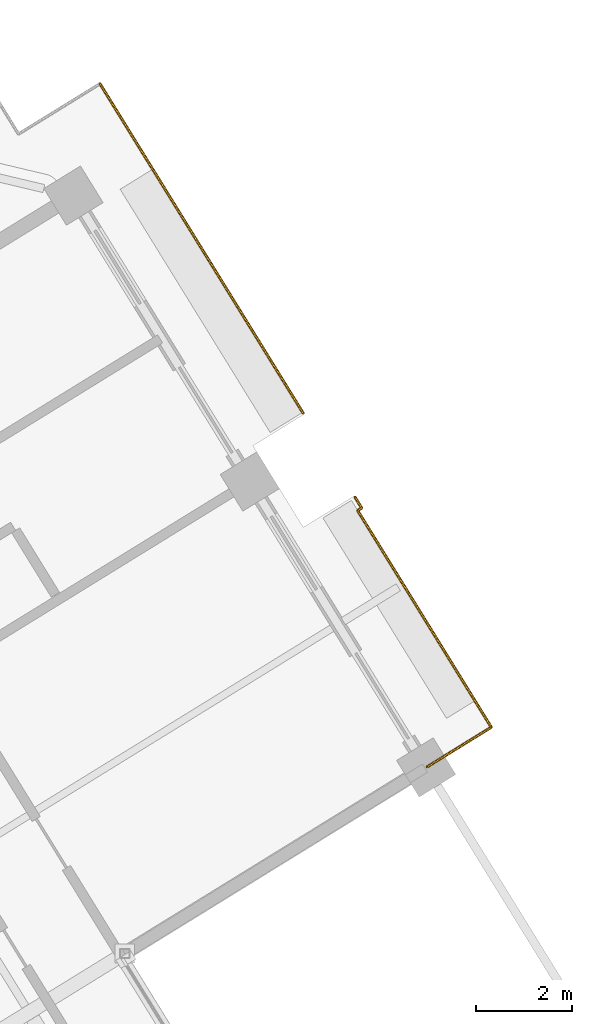
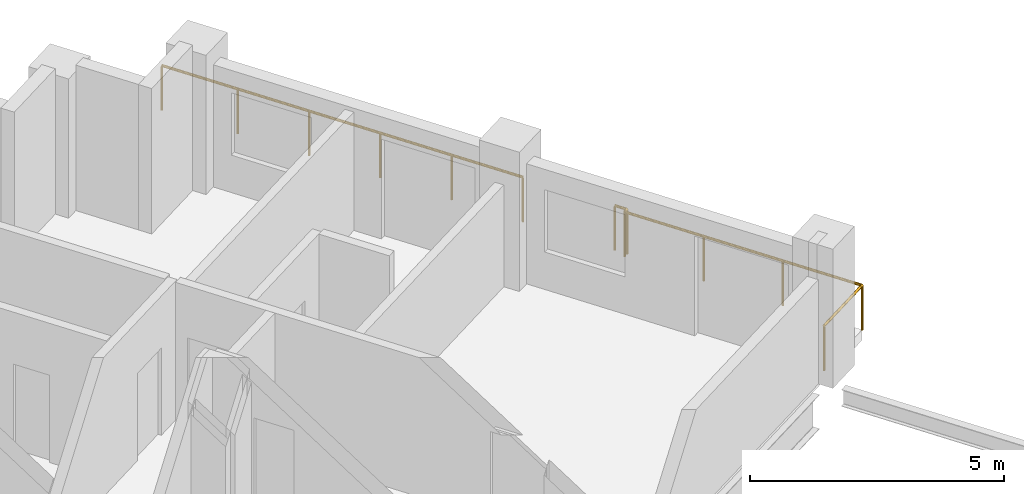
# One storey, part 20 of 21: 2 railings.
"""IFC4 building model written with IfcOpenShell, lengths in metres."""

from ifc_helpers import new_model, si_unit, direction, frame, origin, origin_2d, place, context, subcontext, project, spatial, circle, extrude, material, type_object, element, save


model = new_model("IFC4")

# Units and contexts
model_context = context("Model", 3, precision=1e-05, world=origin(), true_north=direction((0.0, 1.0)))
body_context = subcontext(model_context, "Body", "Model", "MODEL_VIEW")
ifc_project = project(units=[si_unit("LENGTHUNIT", "METRE"), si_unit("AREAUNIT", "SQUARE_METRE"), si_unit("VOLUMEUNIT", "CUBIC_METRE"), si_unit("PLANEANGLEUNIT", "RADIAN"), si_unit("MASSUNIT", "GRAM", prefix="KILO")], contexts=[model_context])

# Site, building, storey
site_placement = place(None, origin())
site = spatial("IfcSite", under=ifc_project, at=site_placement, CompositionType="ELEMENT")
building_placement = place(site_placement, origin())
building = spatial("IfcBuilding", under=site, at=building_placement, Name="Cantera Rosa Tower", CompositionType="ELEMENT")
storey_placement = place(building_placement, frame((0.0, 0.0, 185.60009765625)))
storey = spatial("IfcBuildingStorey", under=building, at=storey_placement, Name="L41", CompositionType="ELEMENT", Elevation=185.60009765625)

# Railings
ifc_material = material(Name="Stainless steel and laminated glass", Category="steel")
railing_type = type_object("IfcRailingType", Name="GUARD 1100", PredefinedType="BALUSTRADE", material=ifc_material)
railing_1_placement = place(storey_placement, frame((17.77734375, 21.656982421875, 0.0)))
element("IfcRailing", 1, at=railing_1_placement, inside=storey, type_object=railing_type, Name="GUARD L41-10", PredefinedType="BALUSTRADE", context=body_context, shape_type="SweptSolid", body=[
    extrude(circle(Radius=0.030029296875, at=origin_2d()), frame((0.0, 0.0, 1.070068359375), z_axis=(0.524702988445, -0.851285365736, 0.0), x_axis=(0.851285365736, 0.524702988445, 0.0)), (0.0, 0.0, 1.0), 0.269775390625),
    extrude(circle(Radius=0.030029296875, at=origin_2d()), frame((0.1416015625, -0.229736328125, 1.070068359375), z_axis=(-0.851152604587, -0.524918320984, 0.0), x_axis=(0.524918320984, -0.851152604587, 0.0)), (0.0, 0.0, 1.0), 0.099609375),
    extrude(circle(Radius=0.030029296875, at=origin_2d()), frame((0.056884765625, -0.281982421875, 1.070068359375), z_axis=(0.524944668484, -0.851136355134, 0.0), x_axis=(0.851136355134, 0.524944668484, 0.0)), (0.0, 0.0, 1.0), 5.320068359375),
    extrude(circle(Radius=0.030029296875, at=origin_2d()), frame((2.849609375, -4.81005859375, 1.070068359375), z_axis=(-0.851116796378, -0.524976379396, 0.0), x_axis=(0.524976379396, -0.851116796378, 0.0)), (0.0, 0.0, 1.0), 1.580322265625),
    extrude(circle(Radius=0.02490234375, at=origin_2d()), origin(), (0.0, 0.0, 1.0), 1.0400390625),
    extrude(circle(Radius=0.02490234375, at=origin_2d()), frame((0.1416015625, -0.229736328125, 0.0)), (0.0, 0.0, 1.0), 1.0400390625),
    extrude(circle(Radius=0.02490234375, at=origin_2d()), frame((0.056884765625, -0.281982421875, 0.0)), (0.0, 0.0, 1.0), 1.0400390625),
    extrude(circle(Radius=0.02490234375, at=origin_2d()), frame((0.98779296875, -1.791259765625, 0.0)), (0.0, 0.0, 1.0), 1.0400390625),
    extrude(circle(Radius=0.02490234375, at=origin_2d()), frame((1.918701171875, -3.30078125, 0.0)), (0.0, 0.0, 1.0), 1.0400390625),
    extrude(circle(Radius=0.02490234375, at=origin_2d()), frame((2.849609375, -4.81005859375, 0.0)), (0.0, 0.0, 1.0), 1.0400390625),
    extrude(circle(Radius=0.02490234375, at=origin_2d()), frame((1.504638671875, -5.6396484375, 0.0)), (0.0, 0.0, 1.0), 1.0400390625),
])
railing_2_placement = place(storey_placement, frame((12.44873046875, 30.2958984375, 0.0)))
element("IfcRailing", 2, at=railing_2_placement, inside=storey, type_object=railing_type, Name="GUARD L41-11", PredefinedType="BALUSTRADE", context=body_context, shape_type="SweptSolid", body=[
    extrude(circle(Radius=0.030029296875, at=origin_2d()), frame((0.0, 0.0, 1.070068359375), z_axis=(0.524994468487, -0.851105638601, 0.0), x_axis=(0.851105638601, 0.524994468487, 0.0)), (0.0, 0.0, 1.0), 1.7001953125),
    extrude(circle(Radius=0.030029296875, at=origin_2d()), frame((0.892578125, -1.447021484375, 1.070068359375), z_axis=(0.524975434866, -0.851117378972, 0.0), x_axis=(0.851117378972, 0.524975434866, 0.0)), (0.0, 0.0, 1.0), 6.389892578125),
    extrude(circle(Radius=0.02490234375, at=origin_2d()), origin(), (0.0, 0.0, 1.0), 1.0400390625),
    extrude(circle(Radius=0.02490234375, at=origin_2d()), frame((0.892578125, -1.447021484375, 0.0)), (0.0, 0.0, 1.0), 1.0400390625),
    extrude(circle(Radius=0.02490234375, at=origin_2d()), frame((1.731201171875, -2.806640625, 0.0)), (0.0, 0.0, 1.0), 1.0400390625),
    extrude(circle(Radius=0.02490234375, at=origin_2d()), frame((2.56982421875, -4.166259765625, 0.0)), (0.0, 0.0, 1.0), 1.0400390625),
    extrude(circle(Radius=0.02490234375, at=origin_2d()), frame((3.408447265625, -5.52587890625, 0.0)), (0.0, 0.0, 1.0), 1.0400390625),
    extrude(circle(Radius=0.02490234375, at=origin_2d()), frame((4.2470703125, -6.885498046875, 0.0)), (0.0, 0.0, 1.0), 1.0400390625),
])

save(model, "model.ifc")
